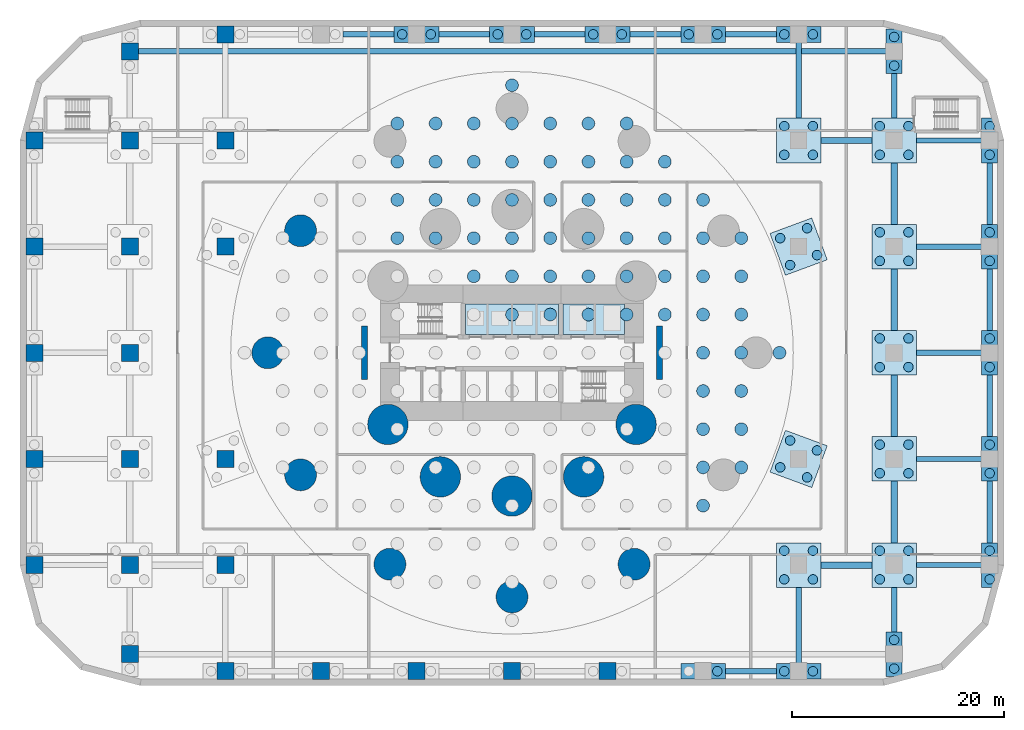
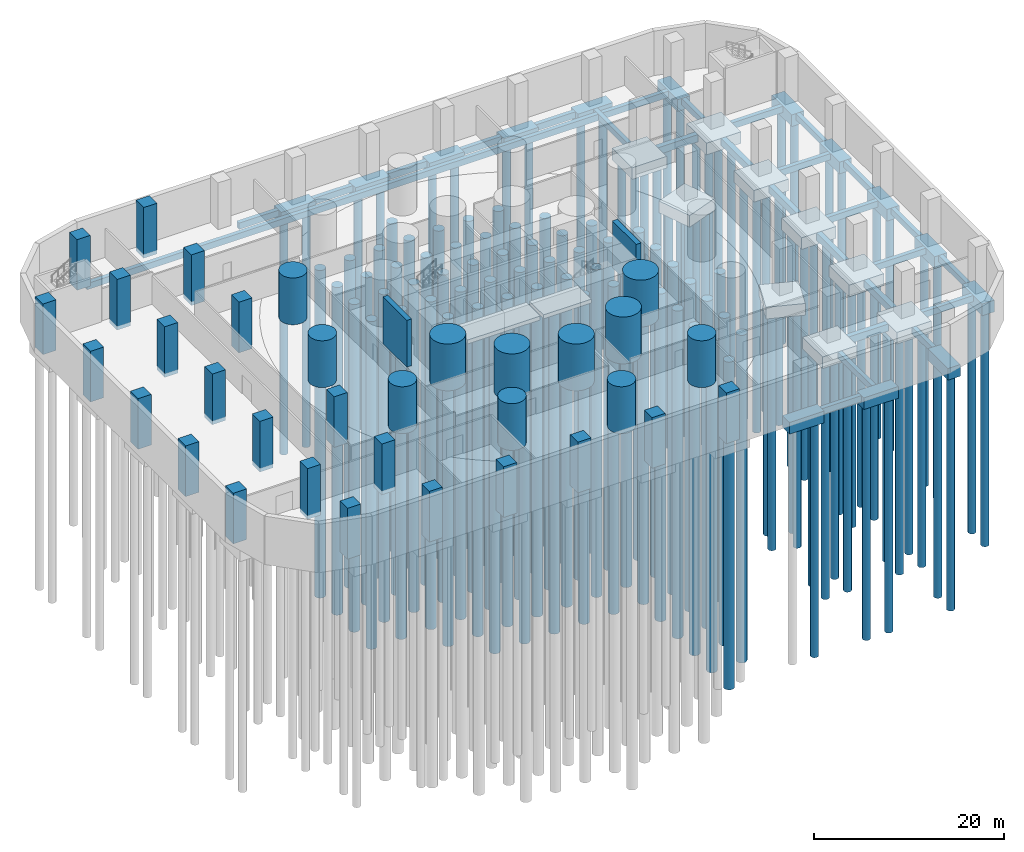
# One storey, part 2 of 10: 123 piles, 51 footings, 35 columns.
"""IFC4 building model written with IfcOpenShell, lengths in metres."""

from ifc_helpers import new_model, si_unit, direction, frame, origin, origin_2d, place, context, subcontext, project, spatial, polyline, rectangle, circle, outline, extrude, material, layer, layer_set, material_profile, profile_set, type_object, element, save


model = new_model("IFC4")

# Units and contexts
model_context = context("Model", 3, precision=1e-05, world=origin(), true_north=direction((0.0, 1.0)))
body_context = subcontext(model_context, "Body", "Model", "MODEL_VIEW")
ifc_project = project(units=[si_unit("LENGTHUNIT", "METRE"), si_unit("AREAUNIT", "SQUARE_METRE"), si_unit("VOLUMEUNIT", "CUBIC_METRE"), si_unit("PLANEANGLEUNIT", "RADIAN"), si_unit("MASSUNIT", "GRAM", prefix="KILO")], contexts=[model_context])

# Site, building, storey
site_placement = place(None, origin())
site = spatial("IfcSite", under=ifc_project, at=site_placement, CompositionType="ELEMENT")
building_placement = place(site_placement, origin())
building = spatial("IfcBuilding", under=site, at=building_placement, Name="Qaws Media Tower", CompositionType="ELEMENT")
storey_placement = place(building_placement, frame((0.0, 0.0, -6.0)))
storey = spatial("IfcBuildingStorey", under=building, at=storey_placement, Name="B1", CompositionType="ELEMENT", Elevation=-6.0)

# Piles
ifc_material_1 = material(Name="Concrete C40/50", Category="concrete")
ifc_material_profile_1 = material_profile(ifc_material_1, circle(Radius=0.60009765625, at=origin_2d()), Name="D1200")
ifc_profile_set_1 = profile_set([ifc_material_profile_1], Name="Concrete C40/50")
pile_type_1 = type_object("IfcPileType", Name="Bored pile D1200", PredefinedType="BORED", material=ifc_profile_set_1)
for number, where, z_axis, x_axis, name in (
    (1, (78.0, 35.60009765625, -3.0), (0.0, 0.0, -1.0), (1.0, 0.0, 0.0), "BP1 pile 28"),
    (2, (78.0, 39.199951171875, -3.0), (0.0, 0.0, -1.0), (1.0, 0.0, 0.0), "BP1 pile 40"),
    (3, (81.60009765625, 39.199951171875, -3.0), (0.0, 0.0, -1.0), (1.0, 0.0, 0.0), "BP1 pile 41"),
    (4, (78.0, 42.800048828125, -3.0), (0.0, 0.0, -1.0), (1.0, 0.0, 0.0), "BP1 pile 53"),
    (5, (81.60009765625, 42.800048828125, -3.0), (0.0, 0.0, -1.0), (1.0, 0.0, 0.0), "BP1 pile 54"),
    (6, (78.0, 46.39990234375, -3.0), (0.0, 0.0, -1.0), (1.0, 0.0, 0.0), "BP1 pile 66"),
    (7, (81.60009765625, 46.39990234375, -3.0), (0.0, 0.0, -1.0), (1.0, 0.0, 0.0), "BP1 pile 67"),
    (8, (78.0, 50.0, -3.0), (0.0, 0.0, -1.0), (1.0, 0.0, 0.0), "BP1 pile 80"),
    (9, (81.60009765625, 50.0, -3.0), (0.0, 0.0, -1.0), (1.0, 0.0, 0.0), "BP1 pile 81"),
    (10, (85.199951171875, 50.0, -3.0), (0.0, 0.0, -1.0), (1.0, 0.0, 0.0), "BP1 pile 82"),
    (11, (60.0, 53.60009765625, -3.0), (0.0, 0.0, -1.0), (1.0, 0.0, 0.0), "BP1 pile 89"),
    (12, (63.60009765625, 53.60009765625, -3.0), (0.0, 0.0, -1.0), (1.0, 0.0, 0.0), "BP1 pile 90"),
    (13, (67.199951171875, 53.60009765625, -3.0), (0.0, 0.0, -1.0), (1.0, 0.0, 0.0), "BP1 pile 91"),
    (14, (70.800048828125, 53.60009765625, -3.0), (0.0, 0.0, -1.0), (1.0, 0.0, 0.0), "BP1 pile 92"),
    (15, (74.39990234375, 53.60009765625, -3.0), (0.0, 0.0, -1.0), (1.0, 0.0, 0.0), "BP1 pile 93"),
    (16, (78.0, 53.60009765625, -3.0), (0.0, 0.0, -1.0), (1.0, 0.0, 0.0), "BP1 pile 94"),
    (17, (81.60009765625, 53.60009765625, -3.0), (0.0, 0.0, -1.0), (1.0, 0.0, 0.0), "BP1 pile 95"),
    (18, (56.39990234375, 57.199951171875, -3.0), (0.0, 0.0, -1.0), (1.0, 0.0, 0.0), "BP1 pile 101"),
    (19, (60.0, 57.199951171875, -3.0), (0.0, 0.0, -1.0), (1.0, 0.0, 0.0), "BP1 pile 102"),
    (20, (63.60009765625, 57.199951171875, -3.0), (0.0, 0.0, -1.0), (1.0, 0.0, 0.0), "BP1 pile 103"),
    (21, (67.199951171875, 57.199951171875, -3.0), (0.0, 0.0, -1.0), (1.0, 0.0, 0.0), "BP1 pile 104"),
    (22, (70.800048828125, 57.199951171875, -3.0), (0.0, 0.0, -1.0), (1.0, 0.0, 0.0), "BP1 pile 105"),
    (23, (74.39990234375, 57.199951171875, -3.0), (0.0, 0.0, -1.0), (1.0, 0.0, 0.0), "BP1 pile 106"),
    (24, (78.0, 57.199951171875, -3.0), (0.0, 0.0, -1.0), (1.0, 0.0, 0.0), "BP1 pile 107"),
    (25, (81.60009765625, 57.199951171875, -3.0), (0.0, 0.0, -1.0), (1.0, 0.0, 0.0), "BP1 pile 108"),
    (26, (49.199951171875, 60.800048828125, -3.0), (0.0, 0.0, -1.0), (1.0, 0.0, 0.0), "BP1 pile 112"),
    (27, (52.800048828125, 60.800048828125, -3.0), (0.0, 0.0, -1.0), (1.0, 0.0, 0.0), "BP1 pile 113"),
    (28, (56.39990234375, 60.800048828125, -3.0), (0.0, 0.0, -1.0), (1.0, 0.0, 0.0), "BP1 pile 114"),
    (29, (60.0, 60.800048828125, -3.0), (0.0, 0.0, -1.0), (1.0, 0.0, 0.0), "BP1 pile 115"),
    (30, (63.60009765625, 60.800048828125, -3.0), (0.0, 0.0, -1.0), (1.0, 0.0, 0.0), "BP1 pile 116"),
    (31, (67.199951171875, 60.800048828125, -3.0), (0.0, 0.0, -1.0), (1.0, 0.0, 0.0), "BP1 pile 117"),
    (32, (70.800048828125, 60.800048828125, -3.0), (0.0, 0.0, -1.0), (1.0, 0.0, 0.0), "BP1 pile 118"),
    (33, (74.39990234375, 60.800048828125, -3.0), (0.0, 0.0, -1.0), (1.0, 0.0, 0.0), "BP1 pile 119"),
    (34, (78.0, 60.800048828125, -3.0), (0.0, 0.0, -1.0), (1.0, 0.0, 0.0), "BP1 pile 120"),
    (35, (81.60009765625, 60.800048828125, -3.0), (0.0, 0.0, -1.0), (1.0, 0.0, 0.0), "BP1 pile 121"),
    (36, (49.199951171875, 64.39990234375, -3.0), (0.0, 0.0, -1.0), (1.0, 0.0, 0.0), "BP1 pile 124"),
    (37, (52.800048828125, 64.39990234375, -3.0), (0.0, 0.0, -1.0), (1.0, 0.0, 0.0), "BP1 pile 125"),
    (38, (56.39990234375, 64.39990234375, -3.0), (0.0, 0.0, -1.0), (1.0, 0.0, 0.0), "BP1 pile 126"),
    (39, (60.0, 64.39990234375, -3.0), (0.0, 0.0, -1.0), (1.0, 0.0, 0.0), "BP1 pile 127"),
    (40, (63.60009765625, 64.39990234375, -3.0), (0.0, 0.0, -1.0), (1.0, 0.0, 0.0), "BP1 pile 128"),
    (41, (67.199951171875, 64.39990234375, -3.0), (0.0, 0.0, -1.0), (1.0, 0.0, 0.0), "BP1 pile 129"),
    (42, (70.800048828125, 64.39990234375, -3.0), (0.0, 0.0, -1.0), (1.0, 0.0, 0.0), "BP1 pile 130"),
    (43, (74.39990234375, 64.39990234375, -3.0), (0.0, 0.0, -1.0), (1.0, 0.0, 0.0), "BP1 pile 131"),
    (44, (78.0, 64.39990234375, -3.0), (0.0, 0.0, -1.0), (1.0, 0.0, 0.0), "BP1 pile 132"),
    (45, (49.199951171875, 68.0, -3.0), (0.0, 0.0, -1.0), (1.0, 0.0, 0.0), "BP1 pile 134"),
    (46, (52.800048828125, 68.0, -3.0), (0.0, 0.0, -1.0), (1.0, 0.0, 0.0), "BP1 pile 135"),
    (47, (56.39990234375, 68.0, -3.0), (0.0, 0.0, -1.0), (1.0, 0.0, 0.0), "BP1 pile 136"),
    (48, (60.0, 68.0, -3.0), (0.0, 0.0, -1.0), (1.0, 0.0, 0.0), "BP1 pile 137"),
    (49, (63.60009765625, 68.0, -3.0), (0.0, 0.0, -1.0), (1.0, 0.0, 0.0), "BP1 pile 138"),
    (50, (67.199951171875, 68.0, -3.0), (0.0, 0.0, -1.0), (1.0, 0.0, 0.0), "BP1 pile 139"),
    (51, (70.800048828125, 68.0, -3.0), (0.0, 0.0, -1.0), (1.0, 0.0, 0.0), "BP1 pile 140"),
    (52, (74.39990234375, 68.0, -3.0), (0.0, 0.0, -1.0), (1.0, 0.0, 0.0), "BP1 pile 141"),
    (53, (49.199951171875, 71.60009765625, -3.0), (0.0, 0.0, -1.0), (1.0, 0.0, 0.0), "BP1 pile 142"),
    (54, (52.800048828125, 71.60009765625, -3.0), (0.0, 0.0, -1.0), (1.0, 0.0, 0.0), "BP1 pile 143"),
    (55, (56.39990234375, 71.60009765625, -3.0), (0.0, 0.0, -1.0), (1.0, 0.0, 0.0), "BP1 pile 144"),
    (56, (60.0, 71.60009765625, -3.0), (0.0, 0.0, -1.0), (1.0, 0.0, 0.0), "BP1 pile 145"),
    (57, (63.60009765625, 71.60009765625, -3.0), (0.0, 0.0, -1.0), (1.0, 0.0, 0.0), "BP1 pile 146"),
    (58, (67.199951171875, 71.60009765625, -3.0), (0.0, 0.0, -1.0), (1.0, 0.0, 0.0), "BP1 pile 147"),
    (59, (70.800048828125, 71.60009765625, -3.0), (0.0, 0.0, -1.0), (1.0, 0.0, 0.0), "BP1 pile 148"),
    (60, (60.0, 75.199951171875, -3.0), (0.0, 0.0, -1.0), (1.0, 0.0, 0.0), "BP1 pile 149"),
):
    element("IfcPile", number, at=place(storey_placement, frame(where, z_axis=z_axis, x_axis=x_axis)), inside=storey, type_object=pile_type_1, Name=name, PredefinedType="BORED", context=body_context, shape_type="SweptSolid", body=[
        extrude(circle(Radius=0.60009765625, at=origin_2d()), origin(), (0.0, 0.0, 1.0), 42.0),
    ])
ifc_material_2 = material(Name="Concrete C40/50", Category="concrete")
ifc_material_profile_2 = material_profile(ifc_material_2, circle(Radius=0.449951171875, at=origin_2d()), Name="D900")
ifc_profile_set_2 = profile_set([ifc_material_profile_2], Name="Concrete C40/50")
pile_type_2 = type_object("IfcPileType", Name="Bored pile D900", PredefinedType="BORED", material=ifc_profile_set_2)
for number, where, z_axis, x_axis, name in (
    (61, (49.64990234375, 80.0, -2.0), (0.0, 0.0, -1.0), (1.0, 0.0, 0.0), "BP2 pile 5/G-1"),
    (62, (52.35009765625, 80.0, -2.0), (0.0, 0.0, -1.0), (1.0, 0.0, 0.0), "BP2 pile 5/G-2"),
    (63, (58.64990234375, 80.0, -2.0), (0.0, 0.0, -1.0), (1.0, 0.0, 0.0), "BP2 pile 6/G-1"),
    (64, (61.35009765625, 80.0, -2.0), (0.0, 0.0, -1.0), (1.0, 0.0, 0.0), "BP2 pile 6/G-2"),
    (65, (67.64990234375, 80.0, -2.0), (0.0, 0.0, -1.0), (1.0, 0.0, 0.0), "BP2 pile 7/G-1"),
    (66, (70.35009765625, 80.0, -2.0), (0.0, 0.0, -1.0), (1.0, 0.0, 0.0), "BP2 pile 7/G-2"),
    (67, (79.35009765625, 20.0, -2.0), (0.0, 0.0, -1.0), (1.0, 0.0, 0.0), "BP2 pile 8/A-2"),
    (68, (76.64990234375, 80.0, -2.0), (0.0, 0.0, -1.0), (1.0, 0.0, 0.0), "BP2 pile 8/G-1"),
    (69, (79.35009765625, 80.0, -2.0), (0.0, 0.0, -1.0), (1.0, 0.0, 0.0), "BP2 pile 8/G-2"),
    (70, (85.64990234375, 20.0, -2.0), (0.0, 0.0, -1.0), (1.0, 0.0, 0.0), "BP2 pile 9/A-1"),
    (71, (88.35009765625, 20.0, -2.0), (0.0, 0.0, -1.0), (1.0, 0.0, 0.0), "BP2 pile 9/A-2"),
    (72, (85.64990234375, 28.64990234375, -2.0), (0.0, 0.0, -1.0), (1.0, 0.0, 0.0), "BP2 pile 9/B-1"),
    (73, (88.35009765625, 28.64990234375, -2.0), (0.0, 0.0, -1.0), (1.0, 0.0, 0.0), "BP2 pile 9/B-2"),
    (74, (85.64990234375, 31.35009765625, -2.0), (0.0, 0.0, -1.0), (1.0, 0.0, 0.0), "BP2 pile 9/B-3"),
    (75, (88.35009765625, 31.35009765625, -2.0), (0.0, 0.0, -1.0), (1.0, 0.0, 0.0), "BP2 pile 9/B-4"),
    (76, (85.265380859375, 39.2021484375, -2.0), (0.0, 0.0, -1.0), (1.0, 0.0, 0.0), "BP2 pile 9/C-1"),
    (77, (87.7978515625, 38.265380859375, -2.0), (0.0, 0.0, -1.0), (1.0, 0.0, 0.0), "BP2 pile 9/C-2"),
    (78, (86.2021484375, 41.734619140625, -2.0), (0.0, 0.0, -1.0), (1.0, 0.0, 0.0), "BP2 pile 9/C-3"),
    (79, (88.734619140625, 40.7978515625, -2.0), (0.0, 0.0, -1.0), (1.0, 0.0, 0.0), "BP2 pile 9/C-4"),
    (80, (86.2021484375, 58.265380859375, -2.0), (0.0, 0.0, -1.0), (1.0, 0.0, 0.0), "BP2 pile 9/E-1"),
    (81, (88.734619140625, 59.2021484375, -2.0), (0.0, 0.0, -1.0), (1.0, 0.0, 0.0), "BP2 pile 9/E-2"),
    (82, (85.265380859375, 60.7978515625, -2.0), (0.0, 0.0, -1.0), (1.0, 0.0, 0.0), "BP2 pile 9/E-3"),
    (83, (87.7978515625, 61.734619140625, -2.0), (0.0, 0.0, -1.0), (1.0, 0.0, 0.0), "BP2 pile 9/E-4"),
    (84, (85.64990234375, 68.64990234375, -2.0), (0.0, 0.0, -1.0), (1.0, 0.0, 0.0), "BP2 pile 9/F-1"),
    (85, (88.35009765625, 68.64990234375, -2.0), (0.0, 0.0, -1.0), (1.0, 0.0, 0.0), "BP2 pile 9/F-2"),
    (86, (85.64990234375, 71.35009765625, -2.0), (0.0, 0.0, -1.0), (1.0, 0.0, 0.0), "BP2 pile 9/F-3"),
    (87, (88.35009765625, 71.35009765625, -2.0), (0.0, 0.0, -1.0), (1.0, 0.0, 0.0), "BP2 pile 9/F-4"),
    (88, (85.64990234375, 80.0, -2.0), (0.0, 0.0, -1.0), (1.0, 0.0, 0.0), "BP2 pile 9/G-1"),
    (89, (88.35009765625, 80.0, -2.0), (0.0, 0.0, -1.0), (1.0, 0.0, 0.0), "BP2 pile 9/G-2"),
    (90, (94.64990234375, 28.64990234375, -2.0), (0.0, 0.0, -1.0), (1.0, 0.0, 0.0), "BP2 pile 10/B-1"),
    (91, (97.35009765625, 28.64990234375, -2.0), (0.0, 0.0, -1.0), (1.0, 0.0, 0.0), "BP2 pile 10/B-2"),
    (92, (94.64990234375, 31.35009765625, -2.0), (0.0, 0.0, -1.0), (1.0, 0.0, 0.0), "BP2 pile 10/B-3"),
    (93, (97.35009765625, 31.35009765625, -2.0), (0.0, 0.0, -1.0), (1.0, 0.0, 0.0), "BP2 pile 10/B-4"),
    (94, (94.64990234375, 38.64990234375, -2.0), (0.0, 0.0, -1.0), (1.0, 0.0, 0.0), "BP2 pile 10/C-1"),
    (95, (97.35009765625, 38.64990234375, -2.0), (0.0, 0.0, -1.0), (1.0, 0.0, 0.0), "BP2 pile 10/C-2"),
    (96, (94.64990234375, 41.35009765625, -2.0), (0.0, 0.0, -1.0), (1.0, 0.0, 0.0), "BP2 pile 10/C-3"),
    (97, (97.35009765625, 41.35009765625, -2.0), (0.0, 0.0, -1.0), (1.0, 0.0, 0.0), "BP2 pile 10/C-4"),
    (98, (94.64990234375, 48.64990234375, -2.0), (0.0, 0.0, -1.0), (1.0, 0.0, 0.0), "BP2 pile 10/D-1"),
    (99, (97.35009765625, 48.64990234375, -2.0), (0.0, 0.0, -1.0), (1.0, 0.0, 0.0), "BP2 pile 10/D-2"),
    (100, (94.64990234375, 51.35009765625, -2.0), (0.0, 0.0, -1.0), (1.0, 0.0, 0.0), "BP2 pile 10/D-3"),
    (101, (97.35009765625, 51.35009765625, -2.0), (0.0, 0.0, -1.0), (1.0, 0.0, 0.0), "BP2 pile 10/D-4"),
    (102, (94.64990234375, 58.64990234375, -2.0), (0.0, 0.0, -1.0), (1.0, 0.0, 0.0), "BP2 pile 10/E-1"),
    (103, (97.35009765625, 58.64990234375, -2.0), (0.0, 0.0, -1.0), (1.0, 0.0, 0.0), "BP2 pile 10/E-2"),
    (104, (94.64990234375, 61.35009765625, -2.0), (0.0, 0.0, -1.0), (1.0, 0.0, 0.0), "BP2 pile 10/E-3"),
    (105, (97.35009765625, 61.35009765625, -2.0), (0.0, 0.0, -1.0), (1.0, 0.0, 0.0), "BP2 pile 10/E-4"),
    (106, (94.64990234375, 68.64990234375, -2.0), (0.0, 0.0, -1.0), (1.0, 0.0, 0.0), "BP2 pile 10/F-1"),
    (107, (97.35009765625, 68.64990234375, -2.0), (0.0, 0.0, -1.0), (1.0, 0.0, 0.0), "BP2 pile 10/F-2"),
    (108, (94.64990234375, 71.35009765625, -2.0), (0.0, 0.0, -1.0), (1.0, 0.0, 0.0), "BP2 pile 10/F-3"),
    (109, (97.35009765625, 71.35009765625, -2.0), (0.0, 0.0, -1.0), (1.0, 0.0, 0.0), "BP2 pile 10/F-4"),
    (110, (105.0, 28.64990234375, -2.0), (0.0, 0.0, -1.0), (1.0, 0.0, 0.0), "BP2 pile 11/B-1"),
    (111, (105.0, 31.35009765625, -2.0), (0.0, 0.0, -1.0), (1.0, 0.0, 0.0), "BP2 pile 11/B-2"),
    (112, (105.0, 38.64990234375, -2.0), (0.0, 0.0, -1.0), (1.0, 0.0, 0.0), "BP2 pile 11/C-1"),
    (113, (105.0, 41.35009765625, -2.0), (0.0, 0.0, -1.0), (1.0, 0.0, 0.0), "BP2 pile 11/C-2"),
    (114, (105.0, 48.64990234375, -2.0), (0.0, 0.0, -1.0), (1.0, 0.0, 0.0), "BP2 pile 11/D-1"),
    (115, (105.0, 51.35009765625, -2.0), (0.0, 0.0, -1.0), (1.0, 0.0, 0.0), "BP2 pile 11/D-2"),
    (116, (105.0, 58.64990234375, -2.0), (0.0, 0.0, -1.0), (1.0, 0.0, 0.0), "BP2 pile 11/E-1"),
    (117, (105.0, 61.35009765625, -2.0), (0.0, 0.0, -1.0), (1.0, 0.0, 0.0), "BP2 pile 11/E-2"),
    (118, (105.0, 68.64990234375, -2.0), (0.0, 0.0, -1.0), (1.0, 0.0, 0.0), "BP2 pile 11/F-1"),
    (119, (105.0, 71.35009765625, -2.0), (0.0, 0.0, -1.0), (1.0, 0.0, 0.0), "BP2 pile 11/F-2"),
    (120, (96.0, 20.25, -2.0), (0.0, 0.0, -1.0), (1.0, 0.0, 0.0), "BP2 pile 10/A-1"),
    (121, (96.0, 22.949951171875, -2.0), (0.0, 0.0, -1.0), (1.0, 0.0, 0.0), "BP2 pile 10/A-2"),
    (122, (96.0, 77.050048828125, -2.0), (0.0, 0.0, -1.0), (1.0, 0.0, 0.0), "BP2 pile 10/G-1"),
    (123, (96.0, 79.75, -2.0), (0.0, 0.0, -1.0), (1.0, 0.0, 0.0), "BP2 pile 10/G-2"),
):
    element("IfcPile", number, at=place(storey_placement, frame(where, z_axis=z_axis, x_axis=x_axis)), inside=storey, type_object=pile_type_2, Name=name, PredefinedType="BORED", context=body_context, shape_type="SweptSolid", body=[
        extrude(circle(Radius=0.449951171875, at=origin_2d()), origin(), (0.0, 0.0, 1.0), 30.0),
    ])

# Footings
ifc_material_3 = material(Name="Concrete C40/50", Category="concrete")
ifc_layer_1 = layer(ifc_material_3, 0.800048828125)
ifc_layer_set_1 = layer_set([ifc_layer_1], Name="Foundation tie beam 500x800")
footing_type_1 = type_object("IfcFootingType", Name="Foundation tie beam 500x800", PredefinedType="FOOTING_BEAM", material=ifc_layer_set_1)
footing_1_placement = place(storey_placement, frame((82.5, 20.0, -1.2998046875), z_axis=(0.0, 0.0, 1.0), x_axis=(1.0, 0.0, 0.0)))
element("IfcFooting", 124, at=footing_1_placement, inside=storey, type_object=footing_type_1, Name="FT2 foundation tie 8/A-9/A", PredefinedType="FOOTING_BEAM", context=body_context, shape_type="SweptSolid", body=[
    extrude(rectangle(XDim=4.800048828125, YDim=0.5, at=origin_2d()), origin(), (0.0, 0.0, 1.0), 0.800048828125),
])
for number, where, z_axis, x_axis, name in (
    (125, (101.175048828125, 30.0, -1.2998046875), (0.0, 0.0, 1.0), (1.0, 0.0, 0.0), "FT2 foundation tie 10/B-11/B"),
    (126, (101.175048828125, 40.0, -1.2998046875), (0.0, 0.0, 1.0), (1.0, 0.0, 0.0), "FT2 foundation tie 10/C-11/C"),
    (127, (101.175048828125, 50.0, -1.2998046875), (0.0, 0.0, 1.0), (1.0, 0.0, 0.0), "FT2 foundation tie 10/D-11/D"),
    (128, (101.175048828125, 60.0, -1.2998046875), (0.0, 0.0, 1.0), (1.0, 0.0, 0.0), "FT2 foundation tie 10/E-11/E"),
    (129, (101.175048828125, 70.0, -1.2998046875), (0.0, 0.0, 1.0), (1.0, 0.0, 0.0), "FT2 foundation tie 10/F-11/F"),
):
    element("IfcFooting", number, at=place(storey_placement, frame(where, z_axis=z_axis, x_axis=x_axis)), inside=storey, type_object=footing_type_1, Name=name, PredefinedType="FOOTING_BEAM", context=body_context, shape_type="SweptSolid", body=[
        extrude(rectangle(XDim=6.14990234375, YDim=0.5, at=origin_2d()), origin(), (0.0, 0.0, 1.0), 0.800048828125),
    ])
footing_2_placement = place(storey_placement, frame((60.0, 78.39990234375, -1.2998046875), z_axis=(0.0, 0.0, 1.0), x_axis=(1.0, 0.0, 0.0)))
element("IfcFooting", 130, at=footing_2_placement, inside=storey, type_object=footing_type_1, Name="FT2 foundation tie 2/G-10/G", PredefinedType="FOOTING_BEAM", context=body_context, shape_type="SweptSolid", body=[
    extrude(rectangle(XDim=70.5, YDim=0.5, at=origin_2d()), origin(), (0.0, 0.0, 1.0), 0.800048828125),
])
for number, where, z_axis, x_axis, name in (
    (131, (46.5, 80.0, -1.2998046875), (0.0, 0.0, 1.0), (1.0, 0.0, 0.0), "FT2 foundation tie 4/G-5/G"),
    (132, (55.5, 80.0, -1.2998046875), (0.0, 0.0, 1.0), (1.0, 0.0, 0.0), "FT2 foundation tie 5/G-6/G"),
    (133, (64.5, 80.0, -1.2998046875), (0.0, 0.0, 1.0), (1.0, 0.0, 0.0), "FT2 foundation tie 6/G-7/G"),
    (134, (73.5, 80.0, -1.2998046875), (0.0, 0.0, 1.0), (1.0, 0.0, 0.0), "FT2 foundation tie 7/G-8/G"),
    (135, (82.5, 80.0, -1.2998046875), (0.0, 0.0, 1.0), (1.0, 0.0, 0.0), "FT2 foundation tie 8/G-9/G"),
):
    element("IfcFooting", number, at=place(storey_placement, frame(where, z_axis=z_axis, x_axis=x_axis)), inside=storey, type_object=footing_type_1, Name=name, PredefinedType="FOOTING_BEAM", context=body_context, shape_type="SweptSolid", body=[
        extrude(rectangle(XDim=4.800048828125, YDim=0.5, at=origin_2d()), origin(), (0.0, 0.0, 1.0), 0.800048828125),
    ])
for number, where, z_axis, x_axis, name in (
    (136, (87.0, 24.324951171875, -1.2998046875), (0.0, 0.0, 1.0), (1.0, 0.0, 0.0), "FT2 foundation tie 9/A-9/B"),
    (137, (87.0, 75.675048828125, -1.2998046875), (0.0, 0.0, 1.0), (1.0, 0.0, 0.0), "FT2 foundation tie 9/F-9/G"),
):
    element("IfcFooting", number, at=place(storey_placement, frame(where, z_axis=z_axis, x_axis=x_axis)), inside=storey, type_object=footing_type_1, Name=name, PredefinedType="FOOTING_BEAM", context=body_context, shape_type="SweptSolid", body=[
        extrude(rectangle(XDim=0.5, YDim=7.14990234375, at=origin_2d()), origin(), (0.0, 0.0, 1.0), 0.800048828125),
    ])
for number, where, z_axis, x_axis, name in (
    (138, (96.0, 25.800048828125, -1.2998046875), (0.0, 0.0, 1.0), (1.0, 0.0, 0.0), "FT2 foundation tie 10/A-10/B"),
    (139, (96.0, 74.199951171875, -1.2998046875), (0.0, 0.0, 1.0), (1.0, 0.0, 0.0), "FT2 foundation tie 10/F-10/G"),
):
    element("IfcFooting", number, at=place(storey_placement, frame(where, z_axis=z_axis, x_axis=x_axis)), inside=storey, type_object=footing_type_1, Name=name, PredefinedType="FOOTING_BEAM", context=body_context, shape_type="SweptSolid", body=[
        extrude(rectangle(XDim=0.5, YDim=4.199951171875, at=origin_2d()), origin(), (0.0, 0.0, 1.0), 0.800048828125),
    ])
for number, where, z_axis, x_axis, name in (
    (140, (105.0, 35.0, -1.2998046875), (0.0, 0.0, 1.0), (1.0, 0.0, 0.0), "FT2 foundation tie 11/B-11/C"),
    (141, (105.0, 45.0, -1.2998046875), (0.0, 0.0, 1.0), (1.0, 0.0, 0.0), "FT2 foundation tie 11/C-11/D"),
    (142, (105.0, 55.0, -1.2998046875), (0.0, 0.0, 1.0), (1.0, 0.0, 0.0), "FT2 foundation tie 11/D-11/E"),
    (143, (105.0, 65.0, -1.2998046875), (0.0, 0.0, 1.0), (1.0, 0.0, 0.0), "FT2 foundation tie 11/E-11/F"),
):
    element("IfcFooting", number, at=place(storey_placement, frame(where, z_axis=z_axis, x_axis=x_axis)), inside=storey, type_object=footing_type_1, Name=name, PredefinedType="FOOTING_BEAM", context=body_context, shape_type="SweptSolid", body=[
        extrude(rectangle(XDim=0.5, YDim=5.800048828125, at=origin_2d()), origin(), (0.0, 0.0, 1.0), 0.800048828125),
    ])
ifc_material_4 = material(Name="Concrete C40/50", Category="concrete")
ifc_layer_2 = layer(ifc_material_4, 0.89990234375)
ifc_layer_set_2 = layer_set([ifc_layer_2], Name="Foundation tie beam 600x900")
footing_type_2 = type_object("IfcFootingType", Name="Foundation tie beam 600x900", PredefinedType="FOOTING_BEAM", material=ifc_layer_set_2)
for number, where, z_axis, x_axis, name in (
    (144, (91.5, 30.0, -1.39990234375), (0.0, 0.0, 1.0), (1.0, 0.0, 0.0), "FT1 foundation tie 9/B-10/B"),
    (145, (91.5, 70.0, -1.39990234375), (0.0, 0.0, 1.0), (1.0, 0.0, 0.0), "FT1 foundation tie 9/F-10/F"),
):
    element("IfcFooting", number, at=place(storey_placement, frame(where, z_axis=z_axis, x_axis=x_axis)), inside=storey, type_object=footing_type_2, Name=name, PredefinedType="FOOTING_BEAM", context=body_context, shape_type="SweptSolid", body=[
        extrude(rectangle(XDim=4.800048828125, YDim=0.60009765625, at=origin_2d()), origin(), (0.0, 0.0, 1.0), 0.89990234375),
    ])
for number, where, z_axis, x_axis, name in (
    (146, (96.0, 35.0, -1.39990234375), (0.0, 0.0, 1.0), (1.0, 0.0, 0.0), "FT1 foundation tie 10/B-10/C"),
    (147, (96.0, 45.0, -1.39990234375), (0.0, 0.0, 1.0), (1.0, 0.0, 0.0), "FT1 foundation tie 10/C-10/D"),
    (148, (96.0, 55.0, -1.39990234375), (0.0, 0.0, 1.0), (1.0, 0.0, 0.0), "FT1 foundation tie 10/D-10/E"),
    (149, (96.0, 65.0, -1.39990234375), (0.0, 0.0, 1.0), (1.0, 0.0, 0.0), "FT1 foundation tie 10/E-10/F"),
):
    element("IfcFooting", number, at=place(storey_placement, frame(where, z_axis=z_axis, x_axis=x_axis)), inside=storey, type_object=footing_type_2, Name=name, PredefinedType="FOOTING_BEAM", context=body_context, shape_type="SweptSolid", body=[
        extrude(rectangle(XDim=0.60009765625, YDim=5.800048828125, at=origin_2d()), origin(), (0.0, 0.0, 1.0), 0.89990234375),
    ])
ifc_material_5 = material(Name="Concrete C40/50", Category="concrete")
ifc_layer_3 = layer(ifc_material_5, 0.5)
ifc_layer_set_3 = layer_set([ifc_layer_3], Name="Lift pit base 500")
footing_type_3 = type_object("IfcFootingType", Name="Lift pit base 500", PredefinedType="PILE_CAP", material=ifc_layer_set_3)
footing_3_placement = place(storey_placement, frame((0.0, 0.0, -3.0)))
element("IfcFooting", 150, at=footing_3_placement, inside=storey, type_object=footing_type_3, Name="R1 lift pit base FL1-FL2", PredefinedType="PILE_CAP", context=body_context, shape_type="SweptSolid", body=[
    extrude(outline(polyline([(70.60009765625, 54.60009765625), (70.60009765625, 51.699951171875), (64.800048828125, 51.699951171875), (64.800048828125, 54.60009765625), (70.60009765625, 54.60009765625)])), origin(), (0.0, 0.0, 1.0), 0.5),
])
footing_4_placement = place(storey_placement, frame((0.0, 0.0, -3.0)))
element("IfcFooting", 151, at=footing_4_placement, inside=storey, type_object=footing_type_3, Name="R1 lift pit base P1-P4", PredefinedType="PILE_CAP", context=body_context, shape_type="SweptSolid", body=[
    extrude(outline(polyline([(64.39990234375, 54.60009765625), (64.39990234375, 51.699951171875), (55.60009765625, 51.699951171875), (55.60009765625, 54.60009765625), (64.39990234375, 54.60009765625)])), origin(), (0.0, 0.0, 1.0), 0.5),
])
ifc_material_6 = material(Name="Concrete C40/50", Category="concrete")
ifc_layer_4 = layer(ifc_material_6, 1.5)
ifc_layer_set_4 = layer_set([ifc_layer_4], Name="Pile cap 2-pile 1500")
footing_type_4 = type_object("IfcFootingType", Name="Pile cap 2-pile 1500", PredefinedType="PILE_CAP", material=ifc_layer_set_4)
for number, where, z_axis, x_axis, name in (
    (152, (51.0, 80.0, -2.0), (0.0, 0.0, 1.0), (1.0, 0.0, 0.0), "F2 pile cap 5/G"),
    (153, (60.0, 80.0, -2.0), (0.0, 0.0, 1.0), (1.0, 0.0, 0.0), "F2 pile cap 6/G"),
    (154, (69.0, 80.0, -2.0), (0.0, 0.0, 1.0), (1.0, 0.0, 0.0), "F2 pile cap 7/G"),
    (155, (78.0, 20.0, -2.0), (0.0, 0.0, 1.0), (1.0, 0.0, 0.0), "F2 pile cap 8/A"),
    (156, (78.0, 80.0, -2.0), (0.0, 0.0, 1.0), (1.0, 0.0, 0.0), "F2 pile cap 8/G"),
    (157, (87.0, 20.0, -2.0), (0.0, 0.0, 1.0), (1.0, 0.0, 0.0), "F2 pile cap 9/A"),
    (158, (87.0, 80.0, -2.0), (0.0, 0.0, 1.0), (1.0, 0.0, 0.0), "F2 pile cap 9/G"),
):
    element("IfcFooting", number, at=place(storey_placement, frame(where, z_axis=z_axis, x_axis=x_axis)), inside=storey, type_object=footing_type_4, Name=name, PredefinedType="PILE_CAP", context=body_context, shape_type="SweptSolid", body=[
        extrude(rectangle(XDim=4.199951171875, YDim=1.5, at=origin_2d()), origin(), (0.0, 0.0, 1.0), 1.5),
    ])
for number, where, z_axis, x_axis, name in (
    (159, (105.0, 30.0, -2.0), (0.0, 0.0, 1.0), (1.0, 0.0, 0.0), "F2 pile cap 11/B"),
    (160, (105.0, 40.0, -2.0), (0.0, 0.0, 1.0), (1.0, 0.0, 0.0), "F2 pile cap 11/C"),
    (161, (105.0, 50.0, -2.0), (0.0, 0.0, 1.0), (1.0, 0.0, 0.0), "F2 pile cap 11/D"),
    (162, (105.0, 60.0, -2.0), (0.0, 0.0, 1.0), (1.0, 0.0, 0.0), "F2 pile cap 11/E"),
    (163, (105.0, 70.0, -2.0), (0.0, 0.0, 1.0), (1.0, 0.0, 0.0), "F2 pile cap 11/F"),
    (164, (96.0, 21.60009765625, -2.0), (0.0, 0.0, 1.0), (1.0, 0.0, 0.0), "F2 pile cap 10/A"),
    (165, (96.0, 78.39990234375, -2.0), (0.0, 0.0, 1.0), (1.0, 0.0, 0.0), "F2 pile cap 10/G"),
):
    element("IfcFooting", number, at=place(storey_placement, frame(where, z_axis=z_axis, x_axis=x_axis)), inside=storey, type_object=footing_type_4, Name=name, PredefinedType="PILE_CAP", context=body_context, shape_type="SweptSolid", body=[
        extrude(rectangle(XDim=1.5, YDim=4.199951171875, at=origin_2d()), origin(), (0.0, 0.0, 1.0), 1.5),
    ])
ifc_material_7 = material(Name="Concrete C40/50", Category="concrete")
ifc_layer_5 = layer(ifc_material_7, 1.5)
ifc_layer_set_5 = layer_set([ifc_layer_5], Name="Pile cap 4-pile 1500")
footing_type_5 = type_object("IfcFootingType", Name="Pile cap 4-pile 1500", PredefinedType="PILE_CAP", material=ifc_layer_set_5)
for number, where, z_axis, x_axis, name in (
    (166, (87.0, 30.0, -2.0), (0.0, 0.0, 1.0), (1.0, 0.0, 0.0), "F4 pile cap 9/B"),
    (167, (87.0, 40.0, -2.0), (0.0, 0.0, 1.0), (0.937888934612, -0.346935651573, 0.0), "F4 pile cap 9/C"),
    (168, (87.0, 60.0, -2.0), (0.0, 0.0, 1.0), (0.937888934612, 0.346935651573, 0.0), "F4 pile cap 9/E"),
    (169, (87.0, 70.0, -2.0), (0.0, 0.0, 1.0), (1.0, 0.0, 0.0), "F4 pile cap 9/F"),
    (170, (96.0, 30.0, -2.0), (0.0, 0.0, 1.0), (1.0, 0.0, 0.0), "F4 pile cap 10/B"),
    (171, (96.0, 40.0, -2.0), (0.0, 0.0, 1.0), (1.0, 0.0, 0.0), "F4 pile cap 10/C"),
    (172, (96.0, 50.0, -2.0), (0.0, 0.0, 1.0), (1.0, 0.0, 0.0), "F4 pile cap 10/D"),
    (173, (96.0, 60.0, -2.0), (0.0, 0.0, 1.0), (1.0, 0.0, 0.0), "F4 pile cap 10/E"),
    (174, (96.0, 70.0, -2.0), (0.0, 0.0, 1.0), (1.0, 0.0, 0.0), "F4 pile cap 10/F"),
):
    element("IfcFooting", number, at=place(storey_placement, frame(where, z_axis=z_axis, x_axis=x_axis)), inside=storey, type_object=footing_type_5, Name=name, PredefinedType="PILE_CAP", context=body_context, shape_type="SweptSolid", body=[
        extrude(rectangle(XDim=4.199951171875, YDim=4.199951171875, at=origin_2d()), origin(), (0.0, 0.0, 1.0), 1.5),
    ])

# Columns
ifc_material_8 = material(Name="Concrete C70/85", Category="concrete")
ifc_material_profile_3 = material_profile(ifc_material_8, circle(Radius=1.5, at=origin_2d()), Name="RC D3000")
ifc_profile_set_3 = profile_set([ifc_material_profile_3], Name="Concrete C70/85")
column_type_1 = type_object("IfcColumnType", Name="Mega column RC D3000", PredefinedType="COLUMN", material=ifc_profile_set_3)
for number, where, z_axis, x_axis, name in (
    (175, (40.081298828125, 61.5, 0.0), (0.0, 0.0, 1.0), (1.0, 0.0, 0.0), "MC1 mega column M06"),
    (176, (37.0, 50.0, 0.0), (0.0, 0.0, 1.0), (1.0, 0.0, 0.0), "MC1 mega column M07"),
    (177, (40.081298828125, 38.5, 0.0), (0.0, 0.0, 1.0), (1.0, 0.0, 0.0), "MC1 mega column M08"),
    (178, (48.5, 30.081298828125, 0.0), (0.0, 0.0, 1.0), (1.0, 0.0, 0.0), "MC1 mega column M09"),
    (179, (60.0, 27.0, 0.0), (0.0, 0.0, 1.0), (1.0, 0.0, 0.0), "MC1 mega column M10"),
    (180, (71.5, 30.081298828125, 0.0), (0.0, 0.0, 1.0), (1.0, 0.0, 0.0), "MC1 mega column M11"),
):
    element("IfcColumn", number, at=place(storey_placement, frame(where, z_axis=z_axis, x_axis=x_axis)), inside=storey, type_object=column_type_1, Name=name, PredefinedType="COLUMN", context=body_context, shape_type="SweptSolid", body=[
        extrude(circle(Radius=1.5, at=origin_2d()), origin(), (0.0, 0.0, 1.0), 6.0),
    ])
ifc_material_9 = material(Name="Concrete C60/75", Category="concrete")
ifc_material_profile_4 = material_profile(ifc_material_9, rectangle(XDim=1.60009765625, YDim=1.60009765625, at=origin_2d()), Name="RC 1600x1600")
ifc_profile_set_4 = profile_set([ifc_material_profile_4], Name="Concrete C60/75")
column_type_2 = type_object("IfcColumnType", Name="Podium column RC 1600x1600", PredefinedType="COLUMN", material=ifc_profile_set_4)
for number, where, z_axis, x_axis, name in (
    (181, (33.0, 20.0, -0.5), (0.0, 0.0, 1.0), (1.0, 0.0, 0.0), "PC1 column 3/A"),
    (182, (42.0, 20.0, -0.5), (0.0, 0.0, 1.0), (1.0, 0.0, 0.0), "PC1 column 4/A"),
    (183, (51.0, 20.0, -0.5), (0.0, 0.0, 1.0), (1.0, 0.0, 0.0), "PC1 column 5/A"),
    (184, (60.0, 20.0, -0.5), (0.0, 0.0, 1.0), (1.0, 0.0, 0.0), "PC1 column 6/A"),
    (185, (69.0, 20.0, -0.5), (0.0, 0.0, 1.0), (1.0, 0.0, 0.0), "PC1 column 7/A"),
    (186, (24.0, 21.60009765625, -0.5), (0.0, 0.0, 1.0), (1.0, 0.0, 0.0), "PC1 column 2/A"),
    (187, (15.0, 30.0, -0.5), (0.0, 0.0, 1.0), (1.0, 0.0, 0.0), "PC1 column 1/B"),
    (188, (24.0, 30.0, -0.5), (0.0, 0.0, 1.0), (1.0, 0.0, 0.0), "PC1 column 2/B"),
    (189, (33.0, 30.0, -0.5), (0.0, 0.0, 1.0), (1.0, 0.0, 0.0), "PC1 column 3/B"),
    (190, (15.0, 40.0, -0.5), (0.0, 0.0, 1.0), (1.0, 0.0, 0.0), "PC1 column 1/C"),
    (191, (24.0, 40.0, -0.5), (0.0, 0.0, 1.0), (1.0, 0.0, 0.0), "PC1 column 2/C"),
    (192, (33.0, 40.0, -0.5), (0.0, 0.0, 1.0), (1.0, 0.0, 0.0), "PC1 column 3/C"),
    (193, (15.0, 50.0, -0.5), (0.0, 0.0, 1.0), (1.0, 0.0, 0.0), "PC1 column 1/D"),
    (194, (24.0, 50.0, -0.5), (0.0, 0.0, 1.0), (1.0, 0.0, 0.0), "PC1 column 2/D"),
    (195, (15.0, 60.0, -0.5), (0.0, 0.0, 1.0), (1.0, 0.0, 0.0), "PC1 column 1/E"),
    (196, (24.0, 60.0, -0.5), (0.0, 0.0, 1.0), (1.0, 0.0, 0.0), "PC1 column 2/E"),
    (197, (33.0, 60.0, -0.5), (0.0, 0.0, 1.0), (1.0, 0.0, 0.0), "PC1 column 3/E"),
    (198, (15.0, 70.0, -0.5), (0.0, 0.0, 1.0), (1.0, 0.0, 0.0), "PC1 column 1/F"),
    (199, (24.0, 70.0, -0.5), (0.0, 0.0, 1.0), (1.0, 0.0, 0.0), "PC1 column 2/F"),
    (200, (33.0, 70.0, -0.5), (0.0, 0.0, 1.0), (1.0, 0.0, 0.0), "PC1 column 3/F"),
    (201, (24.0, 78.39990234375, -0.5), (0.0, 0.0, 1.0), (1.0, 0.0, 0.0), "PC1 column 2/G"),
    (202, (33.0, 80.0, -0.5), (0.0, 0.0, 1.0), (1.0, 0.0, 0.0), "PC1 column 3/G"),
):
    element("IfcColumn", number, at=place(storey_placement, frame(where, z_axis=z_axis, x_axis=x_axis)), inside=storey, type_object=column_type_2, Name=name, PredefinedType="COLUMN", context=body_context, shape_type="SweptSolid", body=[
        extrude(rectangle(XDim=1.60009765625, YDim=1.60009765625, at=origin_2d()), origin(), (0.0, 0.0, 1.0), 6.5),
    ])
ifc_material_10 = material(Name="Concrete C70/85", Category="concrete")
ifc_material_profile_5 = material_profile(ifc_material_10, rectangle(XDim=0.60009765625, YDim=5.0, at=origin_2d()), Name="RC 600x5000")
ifc_profile_set_5 = profile_set([ifc_material_profile_5], Name="Concrete C70/85")
column_type_3 = type_object("IfcColumnType", Name="Podium inner blade column RC 600x5000", PredefinedType="COLUMN", material=ifc_profile_set_5)
for number, where, z_axis, x_axis, name in (
    (203, (73.89990234375, 50.0, 0.0), (0.0, 0.0, 1.0), (1.0, 0.0, 0.0), "PC4 inner blade column I01"),
    (204, (46.10009765625, 50.0, 0.0), (0.0, 0.0, 1.0), (1.0, 0.0, 0.0), "PC4 inner blade column I07"),
):
    element("IfcColumn", number, at=place(storey_placement, frame(where, z_axis=z_axis, x_axis=x_axis)), inside=storey, type_object=column_type_3, Name=name, PredefinedType="COLUMN", context=body_context, shape_type="SweptSolid", body=[
        extrude(rectangle(XDim=0.60009765625, YDim=5.0, at=origin_2d()), origin(), (0.0, 0.0, 1.0), 6.0),
    ])
ifc_material_11 = material(Name="Concrete C70/85", Category="concrete")
ifc_material_profile_6 = material_profile(ifc_material_11, circle(Radius=1.89990234375, at=origin_2d()), Name="RC D3800")
ifc_profile_set_6 = profile_set([ifc_material_profile_6], Name="Concrete C70/85")
column_type_4 = type_object("IfcColumnType", Name="Podium inner column RC D3800", PredefinedType="COLUMN", material=ifc_profile_set_6)
for number, where, z_axis, x_axis, name in (
    (205, (48.30859375, 43.25, 0.0), (0.0, 0.0, 1.0), (1.0, 0.0, 0.0), "PC3 inner column I08"),
    (206, (53.25, 38.30859375, 0.0), (0.0, 0.0, 1.0), (1.0, 0.0, 0.0), "PC3 inner column I09"),
    (207, (60.0, 36.5, 0.0), (0.0, 0.0, 1.0), (1.0, 0.0, 0.0), "PC3 inner column I10"),
    (208, (66.75, 38.30859375, 0.0), (0.0, 0.0, 1.0), (1.0, 0.0, 0.0), "PC3 inner column I11"),
    (209, (71.69140625, 43.25, 0.0), (0.0, 0.0, 1.0), (1.0, 0.0, 0.0), "PC3 inner column I12"),
):
    element("IfcColumn", number, at=place(storey_placement, frame(where, z_axis=z_axis, x_axis=x_axis)), inside=storey, type_object=column_type_4, Name=name, PredefinedType="COLUMN", context=body_context, shape_type="SweptSolid", body=[
        extrude(circle(Radius=1.89990234375, at=origin_2d()), origin(), (0.0, 0.0, 1.0), 6.0),
    ])

save(model, "model.ifc")
